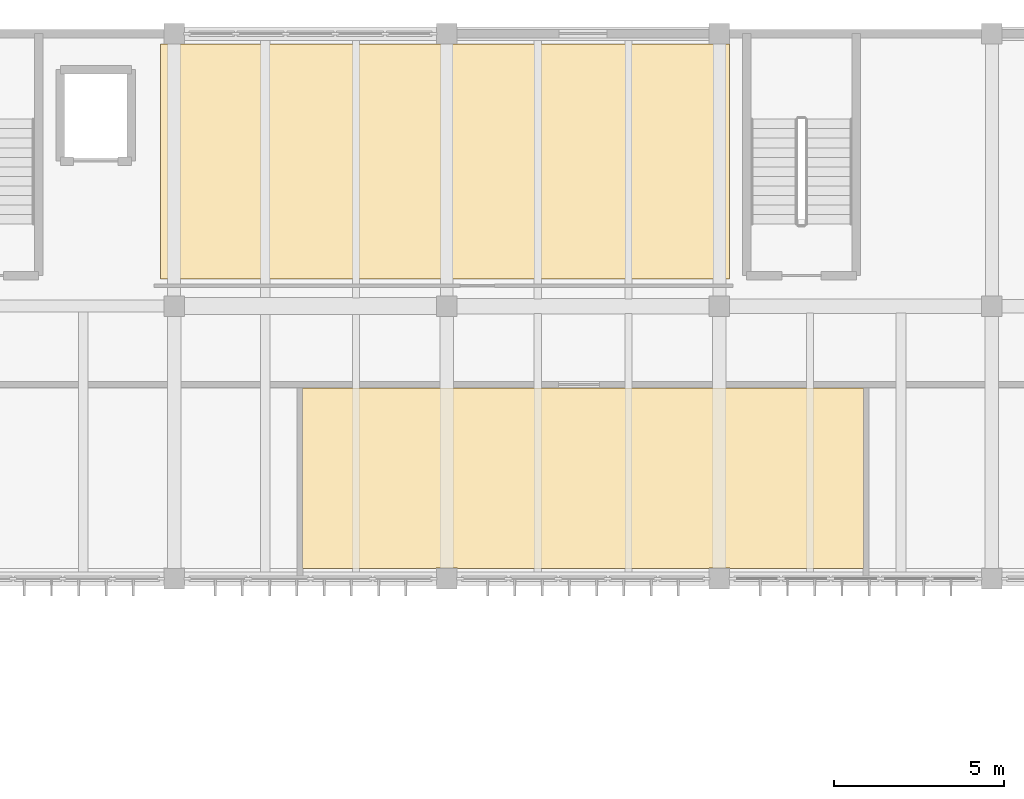
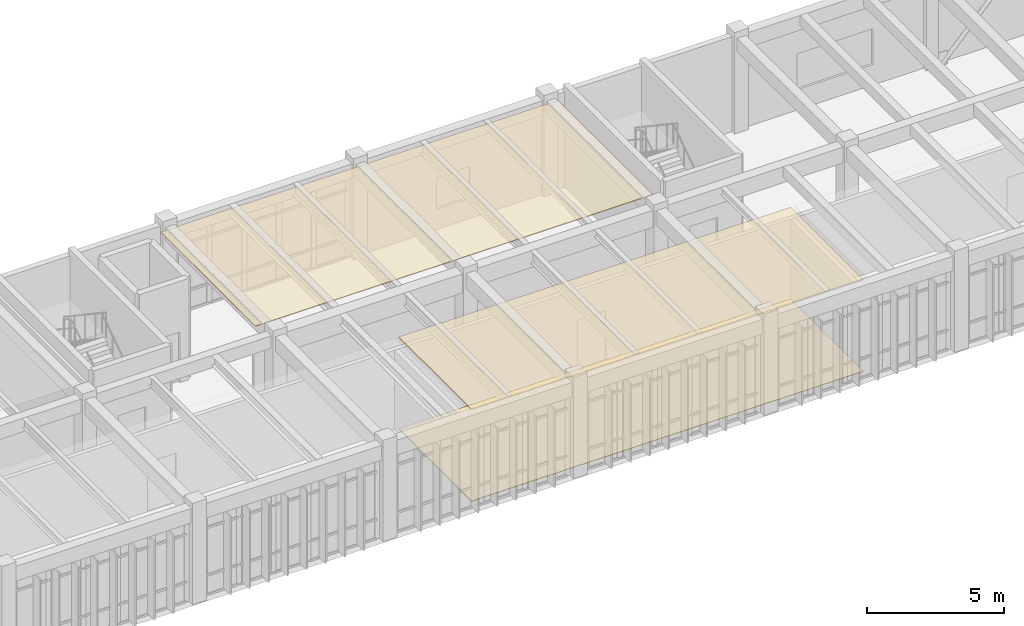
# One storey, part 77 of 79: 3 coverings.
"""IFC4 building model written with IfcOpenShell, lengths in metres."""

from ifc_helpers import new_model, si_unit, direction, frame, origin, place, context, subcontext, project, spatial, polyline, outline, extrude, material, layer, layer_set, type_object, element, save


model = new_model("IFC4")

# Units and contexts
model_context = context("Model", 3, precision=1e-05, world=origin(), true_north=direction((0.0, 1.0)))
body_context = subcontext(model_context, "Body", "Model", "MODEL_VIEW")
ifc_project = project(units=[si_unit("LENGTHUNIT", "METRE"), si_unit("AREAUNIT", "SQUARE_METRE"), si_unit("VOLUMEUNIT", "CUBIC_METRE"), si_unit("PLANEANGLEUNIT", "RADIAN"), si_unit("MASSUNIT", "GRAM", prefix="KILO")], contexts=[model_context])

# Site, building, storey
site_placement = place(None, origin())
site = spatial("IfcSite", under=ifc_project, at=site_placement, CompositionType="ELEMENT")
building_placement = place(site_placement, origin())
building = spatial("IfcBuilding", under=site, at=building_placement, Name="Tlaxcora Railside Police Headquarters", CompositionType="ELEMENT")
storey_placement = place(building_placement, frame((0.0, 0.0, 9.0)))
storey = spatial("IfcBuildingStorey", under=building, at=storey_placement, Name="L02", CompositionType="ELEMENT", Elevation=9.0)

# Coverings
ifc_material_1 = material(Name="Mineral-fibre acoustic ceiling tile")
ifc_layer_1 = layer(ifc_material_1, 0.034912109375, Name="Mineral-fibre acoustic ceiling tile")
ifc_layer_set_1 = layer_set([ifc_layer_1], Name="Mineral-fibre acoustic ceiling tile")
covering_type_1 = type_object("IfcCoveringType", Name="Acoustic Suspended Ceiling CLG-01", PredefinedType="CEILING", material=ifc_layer_set_1)
covering_1_placement = place(storey_placement, frame((0.0, 0.0, 4.06494140625)))
element("IfcCovering", 1, at=covering_1_placement, inside=storey, type_object=covering_type_1, Name="Firearms Microscopy and Reference Suite suspended ceiling", PredefinedType="CEILING", context=body_context, shape_type="SweptSolid", body=[
    extrude(outline(polyline([(118.39990234375, 85.60009765625), (135.10009765625, 85.60009765625), (135.10009765625, 92.489990234375), (134.489990234375, 92.489990234375), (134.489990234375, 92.5), (127.110107421875, 92.5), (127.110107421875, 92.489990234375), (126.489990234375, 92.489990234375), (126.489990234375, 92.5), (119.110107421875, 92.5), (119.110107421875, 92.489990234375), (118.489990234375, 92.489990234375), (118.489990234375, 92.5), (118.39990234375, 92.5), (118.39990234375, 85.60009765625)])), origin(), (0.0, 0.0, 1.0), 0.03515625),
])
ifc_material_2 = material(Name="Heavy-duty resin and raised-access technical flooring")
ifc_layer_2 = layer(ifc_material_2, 0.02490234375, Name="Heavy-duty resin and raised-access technical flooring")
ifc_layer_set_2 = layer_set([ifc_layer_2], Name="Heavy-duty resin and raised-access technical flooring")
covering_type_2 = type_object("IfcCoveringType", Name="Epoxy Chemical-Resistant Lab Flooring FLR-02", PredefinedType="FLOORING", material=ifc_layer_set_2)
covering_2_placement = place(storey_placement, origin())
element("IfcCovering", 2, at=covering_2_placement, inside=storey, type_object=covering_type_2, Name="PCR Amplification Cleanroom Suite technical floor finish", PredefinedType="FLOORING", context=body_context, shape_type="SweptSolid", body=[
    extrude(outline(polyline([(139.030029296875, 77.10009765625), (139.030029296875, 82.39990234375), (122.570068359375, 82.39990234375), (122.570068359375, 77.10009765625), (126.489990234375, 77.10009765625), (126.489990234375, 77.110107421875), (127.110107421875, 77.110107421875), (127.110107421875, 77.10009765625), (134.489990234375, 77.10009765625), (134.489990234375, 77.110107421875), (135.110107421875, 77.110107421875), (135.110107421875, 77.10009765625), (139.030029296875, 77.10009765625)])), origin(), (0.0, 0.0, 1.0), 0.02490234375),
])
ifc_layer_3 = layer(ifc_material_1, 0.044921875, Name="Mineral-fibre acoustic ceiling tile")
ifc_layer_set_3 = layer_set([ifc_layer_3], Name="Mineral-fibre acoustic ceiling tile")
covering_type_3 = type_object("IfcCoveringType", Name="Laboratory Hygienic Ceiling CLG-02", PredefinedType="CEILING", material=ifc_layer_set_3)
covering_3_placement = place(storey_placement, frame((0.0, 0.0, 4.054931640625)))
element("IfcCovering", 3, at=covering_3_placement, inside=storey, type_object=covering_type_3, Name="PCR Amplification Cleanroom Suite suspended ceiling", PredefinedType="CEILING", context=body_context, shape_type="SweptSolid", body=[
    extrude(outline(polyline([(139.030029296875, 77.10009765625), (139.030029296875, 82.39990234375), (122.570068359375, 82.39990234375), (122.570068359375, 77.10009765625), (126.489990234375, 77.10009765625), (126.489990234375, 77.110107421875), (127.110107421875, 77.110107421875), (127.110107421875, 77.10009765625), (134.489990234375, 77.10009765625), (134.489990234375, 77.110107421875), (135.110107421875, 77.110107421875), (135.110107421875, 77.10009765625), (139.030029296875, 77.10009765625)])), origin(), (0.0, 0.0, 1.0), 0.045166015625),
])

save(model, "model.ifc")
